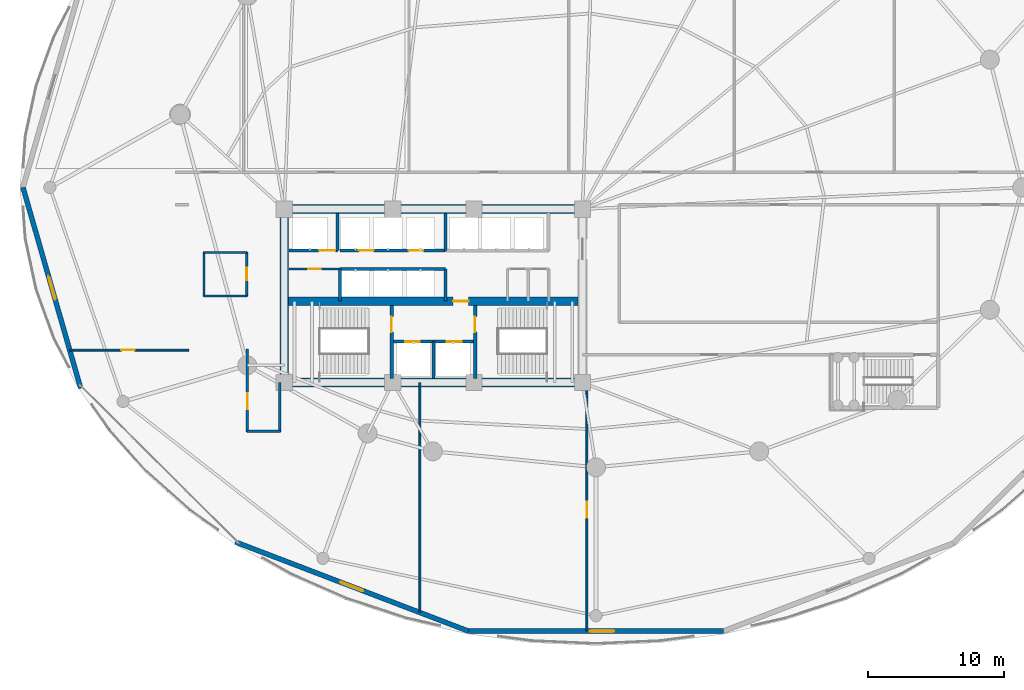
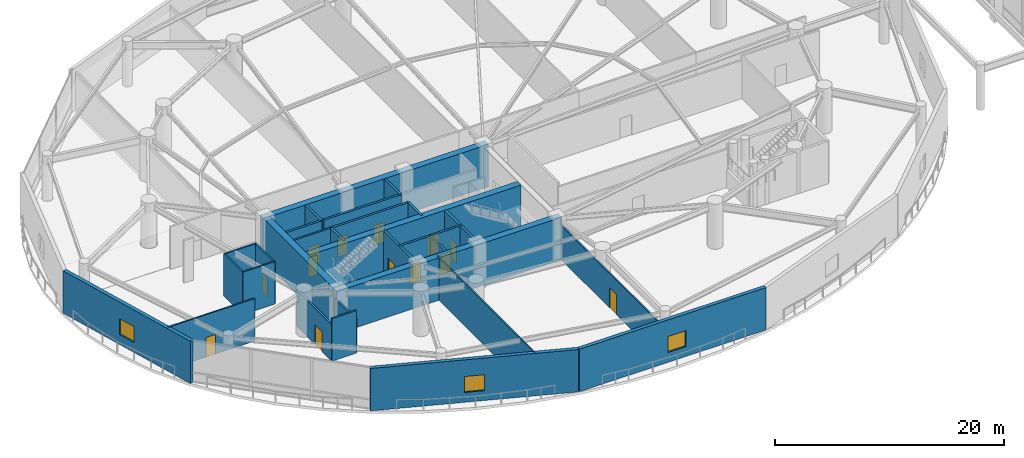
# One storey, part 27 of 40: 29 walls, 13 doors, 3 windows, 16 openings.
"""IFC4 building model written with IfcOpenShell, lengths in metres."""

from ifc_helpers import new_model, si_unit, direction, frame, frame_2d, origin, place, context, subcontext, project, spatial, rectangle, extrude, material, layer, layer_set, type_object, element, fill, save


model = new_model("IFC4")

# Units and contexts
model_context = context("Model", 3, precision=1e-05, world=origin(), true_north=direction((0.0, 1.0)))
body_context = subcontext(model_context, "Body", "Model", "MODEL_VIEW")
ifc_project = project(units=[si_unit("LENGTHUNIT", "METRE"), si_unit("AREAUNIT", "SQUARE_METRE"), si_unit("VOLUMEUNIT", "CUBIC_METRE"), si_unit("PLANEANGLEUNIT", "RADIAN"), si_unit("MASSUNIT", "GRAM", prefix="KILO")], contexts=[model_context])

# Site, building, storey
site_placement = place(None, origin())
site = spatial("IfcSite", under=ifc_project, at=site_placement, CompositionType="ELEMENT")
building_placement = place(site_placement, origin())
building = spatial("IfcBuilding", under=site, at=building_placement, Name="Kazevale Care Tower and Concert Hall", CompositionType="ELEMENT")
storey_placement = place(building_placement, frame((0.0, 0.0, 4.800048828125)))
storey = spatial("IfcBuildingStorey", under=building, at=storey_placement, Name="L01", CompositionType="ELEMENT", Elevation=4.800048828125)

# Wall, opening, door
ifc_material_1 = material(Name="Acoustic Gypsum on Steel Stud", Category="steel")
ifc_layer_1 = layer(ifc_material_1, 0.139892578125)
ifc_layer_set_1 = layer_set([ifc_layer_1], Name="Acoustic Gypsum on Steel Stud")
wall_type_1 = type_object("IfcWallType", Name="Acoustic Care & Suite Partition 140", PredefinedType="PARTITIONING", material=ifc_layer_set_1)
wall_1_placement = place(storey_placement, frame((44.324951171875, 5.27197265625, 0.0), z_axis=(0.0, 0.0, 1.0), x_axis=(0.0, 1.0, 0.0)))
wall_1 = element("IfcWall", 1, at=wall_1_placement, inside=storey, type_object=wall_type_1, Name="wall:L01:auto_022", PredefinedType="PARTITIONING", context=body_context, shape_type="SweptSolid", body=[
    extrude(rectangle(XDim=18.318115234375, YDim=0.139892578125, at=frame_2d((9.1591796875, 0.0))), origin(), (0.0, 0.0, 1.0), 3.659912109375),
])
opening_1_placement = place(wall_1_placement, frame((8.34912109375, 0.0, 0.0)))
opening_1 = element("IfcOpeningElement", 2, at=opening_1_placement, cuts=wall_1, Name="Opening ID-1200", PredefinedType="OPENING", context=body_context, shape_type="SweptSolid", body=[
    extrude(rectangle(XDim=1.199951171875, YDim=2.14990234375, at=frame_2d((0.60009765625, 1.074951171875))), frame((0.0, 0.079833984375, 0.0), z_axis=(0.0, -1.0, 0.0), x_axis=(1.0, 0.0, 0.0)), (0.0, 0.0, 1.0), 0.159912109375),
])
ifc_material_2 = material(Name="Oak Timber Fire Leaf", Category="wood")
door_type_1 = type_object("IfcDoorType", Name="Clinical & Therapy Door 1200x2150", OperationType="NOTDEFINED", PredefinedType="DOOR", material=ifc_material_2)
door_1_placement = place(opening_1_placement, origin())
door_1 = element("IfcDoor", 3, at=door_1_placement, inside=storey, type_object=door_type_1, Name="door:L01:ad_022", OperationType="SINGLE_SWING_LEFT", OverallHeight=2.14990234375, OverallWidth=1.199951171875, PredefinedType="DOOR", context=body_context, shape_type="SweptSolid", body=[
    extrude(rectangle(XDim=1.199951171875, YDim=2.14990234375, at=frame_2d((0.60009765625, 1.074951171875))), frame((0.0, 0.02490234375, 0.0), z_axis=(0.0, -1.0, 0.0), x_axis=(1.0, 0.0, 0.0)), (0.0, 0.0, 1.0), 0.050048828125),
])
fill(opening_1, door_1)

wall_2_placement = place(storey_placement, frame((6.1787109375, 26.0, 0.0), z_axis=(0.0, 0.0, 1.0), x_axis=(1.0, 0.0, 0.0)))
wall_2 = element("IfcWall", 4, at=wall_2_placement, inside=storey, type_object=wall_type_1, Name="wall:L01:auto_024", PredefinedType="PARTITIONING", context=body_context, shape_type="SweptSolid", body=[
    extrude(rectangle(XDim=8.76123046875, YDim=0.139892578125, at=frame_2d((4.380615234375, 0.0))), origin(), (0.0, 0.0, 1.0), 4.52001953125),
])
opening_2_placement = place(wall_2_placement, frame((3.800048828125, 0.0, 0.0)))
opening_2 = element("IfcOpeningElement", 5, at=opening_2_placement, cuts=wall_2, Name="Opening ID-1000", PredefinedType="OPENING", context=body_context, shape_type="SweptSolid", body=[
    extrude(rectangle(XDim=1.0, YDim=2.10009765625, at=frame_2d((0.5, 1.050048828125))), frame((0.0, 0.079833984375, 0.0), z_axis=(0.0, -1.0, 0.0), x_axis=(1.0, 0.0, 0.0)), (0.0, 0.0, 1.0), 0.159912109375),
])
door_type_2 = type_object("IfcDoorType", Name="Suite & Room Door 1000x2100", OperationType="NOTDEFINED", PredefinedType="DOOR", material=ifc_material_2)
door_2_placement = place(opening_2_placement, origin())
door_2 = element("IfcDoor", 6, at=door_2_placement, inside=storey, type_object=door_type_2, Name="door:L01:ad_024", OperationType="SINGLE_SWING_LEFT", OverallHeight=2.10009765625, OverallWidth=1.0, PredefinedType="DOOR", context=body_context, shape_type="SweptSolid", body=[
    extrude(rectangle(XDim=1.0, YDim=2.10009765625, at=frame_2d((0.5, 1.050048828125))), frame((0.0, 0.02490234375, 0.0), z_axis=(0.0, -1.0, 0.0), x_axis=(1.0, 0.0, 0.0)), (0.0, 0.0, 1.0), 0.050048828125),
])
fill(opening_2, door_2)

# Walls
wall_3_placement = place(storey_placement, frame((32.0, 23.590087890625, 0.0), z_axis=(0.0, 0.0, 1.0), x_axis=(0.0, -1.0, 0.0)))
element("IfcWall", 7, at=wall_3_placement, inside=storey, type_object=wall_type_1, Name="wall:L01:auto_025", PredefinedType="PARTITIONING", context=body_context, shape_type="SweptSolid", body=[
    extrude(rectangle(XDim=16.9443359375, YDim=0.139892578125, at=frame_2d((8.47216796875, 0.0))), origin(), (0.0, 0.0, 1.0), 4.52001953125),
])
ifc_material_3 = material(Name="Concrete C70", Category="concrete")
ifc_layer_2 = layer(ifc_material_3, 0.64990234375)
ifc_layer_set_2 = layer_set([ifc_layer_2], Name="Concrete C70")
wall_type_2 = type_object("IfcWallType", Name="Core Shear Wall 650 C70", PredefinedType="SHEAR", material=ifc_layer_set_2)
for number, where, z_axis, x_axis, name in (
    (8, (21.675048828125, 23.60009765625, 0.0), (0.0, 0.0, 1.0), (1.0, 0.0, 0.0), "wall:L01:core:S"),
    (9, (21.675048828125, 36.39990234375, 0.0), (0.0, 0.0, 1.0), (1.0, 0.0, 0.0), "wall:L01:core:N"),
):
    element("IfcWall", number, at=place(storey_placement, frame(where, z_axis=z_axis, x_axis=x_axis)), inside=storey, type_object=wall_type_2, Name=name, PredefinedType="SHEAR", context=body_context, shape_type="SweptSolid", body=[
        extrude(rectangle(XDim=22.64990234375, YDim=0.64990234375, at=frame_2d((11.324951171875, 0.0))), origin(), (0.0, 0.0, 1.0), 4.52001953125),
    ])
wall_4_placement = place(storey_placement, frame((22.0, 23.925048828125, 0.0), z_axis=(0.0, 0.0, 1.0), x_axis=(0.0, 1.0, 0.0)))
element("IfcWall", 10, at=wall_4_placement, inside=storey, type_object=wall_type_2, Name="wall:L01:core:W", PredefinedType="SHEAR", context=body_context, shape_type="SweptSolid", body=[
    extrude(rectangle(XDim=12.14990234375, YDim=0.64990234375, at=frame_2d((6.074951171875, 0.0))), origin(), (0.0, 0.0, 1.0), 4.52001953125),
])

# Wall, opening, door
wall_5_placement = place(storey_placement, frame((22.324951171875, 29.60009765625, 0.0), z_axis=(0.0, 0.0, 1.0), x_axis=(1.0, 0.0, 0.0)))
wall_5 = element("IfcWall", 11, at=wall_5_placement, inside=storey, type_object=wall_type_2, Name="wall:L01:core:M", PredefinedType="SHEAR", context=body_context, shape_type="SweptSolid", body=[
    extrude(rectangle(XDim=21.35009765625, YDim=0.64990234375, at=frame_2d((10.675048828125, 0.0))), origin(), (0.0, 0.0, 1.0), 4.52001953125),
])
opening_3_placement = place(wall_5_placement, frame((12.125, 0.0, 0.0)))
opening_3 = element("IfcOpeningElement", 12, at=opening_3_placement, cuts=wall_5, Name="Opening FD-90", PredefinedType="OPENING", context=body_context, shape_type="SweptSolid", body=[
    extrude(rectangle(XDim=1.14990234375, YDim=2.10009765625, at=frame_2d((0.574951171875, 1.050048828125))), frame((0.0, 0.3349609375, 0.0), z_axis=(0.0, -1.0, 0.0), x_axis=(1.0, 0.0, 0.0)), (0.0, 0.0, 1.0), 0.669921875),
])
ifc_material_4 = material(Name="Steel ASTM A572 Gr 50", Category="steel")
door_type_3 = type_object("IfcDoorType", Name="Pressurized Stair & Lobby Fire Door 1150x2100", OperationType="NOTDEFINED", PredefinedType="DOOR", material=ifc_material_4)
door_3_placement = place(opening_3_placement, origin())
door_3 = element("IfcDoor", 13, at=door_3_placement, inside=storey, type_object=door_type_3, Name="door:L01:ff_to_pax", OperationType="SINGLE_SWING_LEFT", OverallHeight=2.10009765625, OverallWidth=1.14990234375, PredefinedType="DOOR", context=body_context, shape_type="SweptSolid", body=[
    extrude(rectangle(XDim=1.14990234375, YDim=2.10009765625, at=frame_2d((0.574951171875, 1.050048828125))), frame((0.0, 0.02490234375, 0.0), z_axis=(0.0, -1.0, 0.0), x_axis=(1.0, 0.0, 0.0)), (0.0, 0.0, 1.0), 0.050048828125),
])
fill(opening_3, door_3)

# Wall, openings, doors
ifc_material_5 = material(Name="Concrete C40", Category="concrete")
ifc_layer_3 = layer(ifc_material_5, 0.219970703125)
ifc_layer_set_3 = layer_set([ifc_layer_3], Name="Concrete C40")
wall_type_3 = type_object("IfcWallType", Name="Elevator Hoistway Shaft Wall 220", PredefinedType="SOLIDWALL", material=ifc_layer_set_3)
wall_6_placement = place(storey_placement, frame((29.919921875, 26.6201171875, 0.0), z_axis=(0.0, 0.0, 1.0), x_axis=(1.0, 0.0, 0.0)))
wall_6 = element("IfcWall", 14, at=wall_6_placement, inside=storey, type_object=wall_type_3, Name="wall:L01:c_ffl_n", PredefinedType="SOLIDWALL", context=body_context, shape_type="SweptSolid", body=[
    extrude(rectangle(XDim=6.16015625, YDim=0.219970703125, at=frame_2d((3.080078125, 0.0))), origin(), (0.0, 0.0, 1.0), 4.52001953125),
])
opening_4_placement = place(wall_6_placement, frame((0.989990234375, 0.0, 0.0)))
opening_4 = element("IfcOpeningElement", 15, at=opening_4_placement, cuts=wall_6, Name="Opening LD-FF", PredefinedType="OPENING", context=body_context, shape_type="SweptSolid", body=[
    extrude(rectangle(XDim=1.10009765625, YDim=2.10009765625, at=frame_2d((0.550048828125, 1.050048828125))), frame((0.0, 0.119873046875, 0.0), z_axis=(0.0, -1.0, 0.0), x_axis=(1.0, 0.0, 0.0)), (0.0, 0.0, 1.0), 0.239990234375),
])
opening_5_placement = place(wall_6_placement, frame((4.070068359375, 0.0, 0.0)))
opening_5 = element("IfcOpeningElement", 16, at=opening_5_placement, cuts=wall_6, Name="Opening LD-FF", PredefinedType="OPENING", context=body_context, shape_type="SweptSolid", body=[
    extrude(rectangle(XDim=1.10009765625, YDim=2.10009765625, at=frame_2d((0.550048828125, 1.050048828125))), frame((0.0, 0.119873046875, 0.0), z_axis=(0.0, -1.0, 0.0), x_axis=(1.0, 0.0, 0.0)), (0.0, 0.0, 1.0), 0.239990234375),
])
ifc_material_6 = material(Name="Stainless Steel 316", Category="steel")
door_type_4 = type_object("IfcDoorType", Name="Emergency Lift Sliding Landing Door 1100x2100", OperationType="NOTDEFINED", PredefinedType="DOOR", material=ifc_material_6)
door_4_placement = place(opening_4_placement, origin())
door_4 = element("IfcDoor", 17, at=door_4_placement, inside=storey, type_object=door_type_4, Name="door:L01:ld_ffl1", OperationType="SLIDING_TO_LEFT", OverallHeight=2.10009765625, OverallWidth=1.10009765625, PredefinedType="DOOR", context=body_context, shape_type="SweptSolid", body=[
    extrude(rectangle(XDim=1.10009765625, YDim=2.10009765625, at=frame_2d((0.550048828125, 1.050048828125))), frame((0.0, 0.02490234375, 0.0), z_axis=(0.0, -1.0, 0.0), x_axis=(1.0, 0.0, 0.0)), (0.0, 0.0, 1.0), 0.050048828125),
])
fill(opening_4, door_4)
door_5_placement = place(opening_5_placement, origin())
door_5 = element("IfcDoor", 18, at=door_5_placement, inside=storey, type_object=door_type_4, Name="door:L01:ld_ffl2", OperationType="SLIDING_TO_RIGHT", OverallHeight=2.10009765625, OverallWidth=1.10009765625, PredefinedType="DOOR", context=body_context, shape_type="SweptSolid", body=[
    extrude(rectangle(XDim=1.10009765625, YDim=2.10009765625, at=frame_2d((0.550048828125, 1.050048828125))), frame((0.0, 0.02490234375, 0.0), z_axis=(0.0, -1.0, 0.0), x_axis=(1.0, 0.0, 0.0)), (0.0, 0.0, 1.0), 0.050048828125),
])
fill(opening_5, door_5)

# Walls
wall_7_placement = place(storey_placement, frame((33.0, 23.89990234375, 0.0), z_axis=(0.0, 0.0, 1.0), x_axis=(0.0, 1.0, 0.0)))
element("IfcWall", 19, at=wall_7_placement, inside=storey, type_object=wall_type_3, Name="wall:L01:c_ffl_m", PredefinedType="SOLIDWALL", context=body_context, shape_type="SweptSolid", body=[
    extrude(rectangle(XDim=2.72021484375, YDim=0.219970703125, at=frame_2d((1.360107421875, 0.0))), origin(), (0.0, 0.0, 1.0), 4.52001953125),
])
wall_8_placement = place(storey_placement, frame((25.919921875, 33.35009765625, 0.0), z_axis=(0.0, 0.0, 1.0), x_axis=(0.0, 1.0, 0.0)))
element("IfcWall", 20, at=wall_8_placement, inside=storey, type_object=wall_type_3, Name="wall:L01:c_svl_e", PredefinedType="SOLIDWALL", context=body_context, shape_type="SweptSolid", body=[
    extrude(rectangle(XDim=2.72998046875, YDim=0.219970703125, at=frame_2d((1.364990234375, 0.0))), origin(), (0.0, 0.0, 1.0), 4.52001953125),
])

# Wall, opening, door
wall_9_placement = place(storey_placement, frame((22.35009765625, 33.35009765625, 0.0), z_axis=(0.0, 0.0, 1.0), x_axis=(1.0, 0.0, 0.0)))
wall_9 = element("IfcWall", 21, at=wall_9_placement, inside=storey, type_object=wall_type_3, Name="wall:L01:c_svl_s", PredefinedType="SOLIDWALL", context=body_context, shape_type="SweptSolid", body=[
    extrude(rectangle(XDim=3.56982421875, YDim=0.219970703125, at=frame_2d((1.784912109375, 0.0))), origin(), (0.0, 0.0, 1.0), 4.52001953125),
])
opening_6_placement = place(wall_9_placement, frame((2.212890625, 0.0, 0.0)))
opening_6 = element("IfcOpeningElement", 22, at=opening_6_placement, cuts=wall_9, Name="Opening LD-SV", PredefinedType="OPENING", context=body_context, shape_type="SweptSolid", body=[
    extrude(rectangle(XDim=1.199951171875, YDim=2.10009765625, at=frame_2d((0.60009765625, 1.050048828125))), frame((0.0, 0.119873046875, 0.0), z_axis=(0.0, -1.0, 0.0), x_axis=(1.0, 0.0, 0.0)), (0.0, 0.0, 1.0), 0.239990234375),
])
door_type_5 = type_object("IfcDoorType", Name="Service Lift Sliding Landing Door 1200x2100", OperationType="NOTDEFINED", PredefinedType="DOOR", material=ifc_material_6)
door_6_placement = place(opening_6_placement, origin())
door_6 = element("IfcDoor", 23, at=door_6_placement, inside=storey, type_object=door_type_5, Name="door:L01:ld_svl1", OperationType="SLIDING_TO_LEFT", OverallHeight=2.10009765625, OverallWidth=1.199951171875, PredefinedType="DOOR", context=body_context, shape_type="SweptSolid", body=[
    extrude(rectangle(XDim=1.199951171875, YDim=2.10009765625, at=frame_2d((0.60009765625, 1.050048828125))), frame((0.0, 0.02490234375, 0.0), z_axis=(0.0, -1.0, 0.0), x_axis=(1.0, 0.0, 0.0)), (0.0, 0.0, 1.0), 0.050048828125),
])
fill(opening_6, door_6)

# Walls
wall_10_placement = place(storey_placement, frame((26.10009765625, 29.6201171875, 0.0), z_axis=(0.0, 0.0, 1.0), x_axis=(0.0, 1.0, 0.0)))
element("IfcWall", 24, at=wall_10_placement, inside=storey, type_object=wall_type_3, Name="wall:L01:c_ph_w", PredefinedType="SOLIDWALL", context=body_context, shape_type="SweptSolid", body=[
    extrude(rectangle(XDim=2.35986328125, YDim=0.219970703125, at=frame_2d((1.179931640625, 0.0))), origin(), (0.0, 0.0, 1.0), 4.52001953125),
])
wall_11_placement = place(storey_placement, frame((26.10009765625, 31.97998046875, 0.0), z_axis=(0.0, 0.0, 1.0), x_axis=(1.0, 0.0, 0.0)))
element("IfcWall", 25, at=wall_11_placement, inside=storey, type_object=wall_type_3, Name="wall:L01:c_ph_n", PredefinedType="SOLIDWALL", context=body_context, shape_type="SweptSolid", body=[
    extrude(rectangle(XDim=7.7998046875, YDim=0.219970703125, at=frame_2d((3.89990234375, 0.0))), origin(), (0.0, 0.0, 1.0), 4.52001953125),
])
wall_12_placement = place(storey_placement, frame((33.89990234375, 29.6201171875, 0.0), z_axis=(0.0, 0.0, 1.0), x_axis=(0.0, 1.0, 0.0)))
element("IfcWall", 26, at=wall_12_placement, inside=storey, type_object=wall_type_3, Name="wall:L01:c_ph_e", PredefinedType="SOLIDWALL", context=body_context, shape_type="SweptSolid", body=[
    extrude(rectangle(XDim=2.35986328125, YDim=0.219970703125, at=frame_2d((1.179931640625, 0.0))), origin(), (0.0, 0.0, 1.0), 4.52001953125),
])

# Wall, openings, doors
wall_13_placement = place(storey_placement, frame((26.10009765625, 33.35009765625, 0.0), z_axis=(0.0, 0.0, 1.0), x_axis=(1.0, 0.0, 0.0)))
wall_13 = element("IfcWall", 27, at=wall_13_placement, inside=storey, type_object=wall_type_3, Name="wall:L01:c_pl_s", PredefinedType="SOLIDWALL", context=body_context, shape_type="SweptSolid", body=[
    extrude(rectangle(XDim=7.7998046875, YDim=0.219970703125, at=frame_2d((3.89990234375, 0.0))), origin(), (0.0, 0.0, 1.0), 4.52001953125),
])
opening_7_placement = place(wall_13_placement, frame((1.39990234375, 0.0, 0.0)))
opening_7 = element("IfcOpeningElement", 28, at=opening_7_placement, cuts=wall_13, Name="Opening LD-PAX", PredefinedType="OPENING", context=body_context, shape_type="SweptSolid", body=[
    extrude(rectangle(XDim=1.10009765625, YDim=2.10009765625, at=frame_2d((0.550048828125, 1.050048828125))), frame((0.0, 0.119873046875, 0.0), z_axis=(0.0, -1.0, 0.0), x_axis=(1.0, 0.0, 0.0)), (0.0, 0.0, 1.0), 0.239990234375),
])
opening_8_placement = place(wall_13_placement, frame((5.06591796875, 0.0, 0.0)))
opening_8 = element("IfcOpeningElement", 29, at=opening_8_placement, cuts=wall_13, Name="Opening LD-PAX", PredefinedType="OPENING", context=body_context, shape_type="SweptSolid", body=[
    extrude(rectangle(XDim=1.10009765625, YDim=2.10009765625, at=frame_2d((0.550048828125, 1.050048828125))), frame((0.0, 0.119873046875, 0.0), z_axis=(0.0, -1.0, 0.0), x_axis=(1.0, 0.0, 0.0)), (0.0, 0.0, 1.0), 0.239990234375),
])
door_type_6 = type_object("IfcDoorType", Name="Passenger Lift Sliding Landing Door 1100x2100", OperationType="NOTDEFINED", PredefinedType="DOOR", material=ifc_material_6)
door_7_placement = place(opening_7_placement, origin())
door_7 = element("IfcDoor", 30, at=door_7_placement, inside=storey, type_object=door_type_6, Name="door:L01:ld_pl1", OperationType="SLIDING_TO_LEFT", OverallHeight=2.10009765625, OverallWidth=1.10009765625, PredefinedType="DOOR", context=body_context, shape_type="SweptSolid", body=[
    extrude(rectangle(XDim=1.10009765625, YDim=2.10009765625, at=frame_2d((0.550048828125, 1.050048828125))), frame((0.0, 0.02490234375, 0.0), z_axis=(0.0, -1.0, 0.0), x_axis=(1.0, 0.0, 0.0)), (0.0, 0.0, 1.0), 0.050048828125),
])
fill(opening_7, door_7)
door_8_placement = place(opening_8_placement, origin())
door_8 = element("IfcDoor", 31, at=door_8_placement, inside=storey, type_object=door_type_6, Name="door:L01:ld_pl2", OperationType="SLIDING_TO_RIGHT", OverallHeight=2.10009765625, OverallWidth=1.10009765625, PredefinedType="DOOR", context=body_context, shape_type="SweptSolid", body=[
    extrude(rectangle(XDim=1.10009765625, YDim=2.10009765625, at=frame_2d((0.550048828125, 1.050048828125))), frame((0.0, 0.02490234375, 0.0), z_axis=(0.0, -1.0, 0.0), x_axis=(1.0, 0.0, 0.0)), (0.0, 0.0, 1.0), 0.050048828125),
])
fill(opening_8, door_8)

# Wall
wall_14_placement = place(storey_placement, frame((33.89990234375, 33.35009765625, 0.0), z_axis=(0.0, 0.0, 1.0), x_axis=(0.0, 1.0, 0.0)))
element("IfcWall", 32, at=wall_14_placement, inside=storey, type_object=wall_type_3, Name="wall:L01:c_pl_e", PredefinedType="SOLIDWALL", context=body_context, shape_type="SweptSolid", body=[
    extrude(rectangle(XDim=2.72998046875, YDim=0.219970703125, at=frame_2d((1.364990234375, 0.0))), origin(), (0.0, 0.0, 1.0), 4.52001953125),
])

# Wall, opening, door
ifc_material_7 = material(Name="Concrete C40 and Acoustic Gypsum", Category="concrete")
ifc_layer_4 = layer(ifc_material_7, 0.179931640625)
ifc_layer_set_4 = layer_set([ifc_layer_4], Name="Concrete C40 and Acoustic Gypsum")
wall_type_4 = type_object("IfcWallType", Name="Fire-Rated Corridor & Party Wall 180", PredefinedType="PARTITIONING", material=ifc_layer_set_4)
wall_15_placement = place(storey_placement, frame((22.35009765625, 31.97998046875, 0.0), z_axis=(0.0, 0.0, 1.0), x_axis=(1.0, 0.0, 0.0)))
wall_15 = element("IfcWall", 33, at=wall_15_placement, inside=storey, type_object=wall_type_4, Name="wall:L01:ka_wn1", PredefinedType="PARTITIONING", context=body_context, shape_type="SweptSolid", body=[
    extrude(rectangle(XDim=3.75, YDim=0.179931640625, at=frame_2d((1.875, 0.0))), origin(), (0.0, 0.0, 1.0), 4.52001953125),
])
opening_9_placement = place(wall_15_placement, frame((1.425048828125, 0.0, 0.0)))
opening_9 = element("IfcOpeningElement", 34, at=opening_9_placement, cuts=wall_15, Name="Opening ID-900", PredefinedType="OPENING", context=body_context, shape_type="SweptSolid", body=[
    extrude(rectangle(XDim=0.919921875, YDim=2.10009765625, at=frame_2d((0.4599609375, 1.050048828125))), frame((0.0, 0.099853515625, 0.0), z_axis=(0.0, -1.0, 0.0), x_axis=(1.0, 0.0, 0.0)), (0.0, 0.0, 1.0), 0.199951171875),
])
door_type_7 = type_object("IfcDoorType", Name="Bathroom & Service Door 920x2100", OperationType="NOTDEFINED", PredefinedType="DOOR", material=ifc_material_2)
door_9_placement = place(opening_9_placement, origin())
door_9 = element("IfcDoor", 35, at=door_9_placement, inside=storey, type_object=door_type_7, Name="door:L01:d_kaw", OperationType="SINGLE_SWING_LEFT", OverallHeight=2.10009765625, OverallWidth=0.919921875, PredefinedType="DOOR", context=body_context, shape_type="SweptSolid", body=[
    extrude(rectangle(XDim=0.919921875, YDim=2.10009765625, at=frame_2d((0.4599609375, 1.050048828125))), frame((0.0, 0.02490234375, 0.0), z_axis=(0.0, -1.0, 0.0), x_axis=(1.0, 0.0, 0.0)), (0.0, 0.0, 1.0), 0.050048828125),
])
fill(opening_9, door_9)

wall_16_placement = place(storey_placement, frame((19.27490234375, 19.969970703125, 0.0), z_axis=(0.0, 0.0, 1.0), x_axis=(0.0, 1.0, 0.0)))
wall_16 = element("IfcWall", 36, at=wall_16_placement, inside=storey, type_object=wall_type_4, Name="wall:L01:auto_013", PredefinedType="PARTITIONING", context=body_context, shape_type="SweptSolid", body=[
    extrude(rectangle(XDim=6.094970703125, YDim=0.179931640625, at=frame_2d((3.04736328125, 0.0))), origin(), (0.0, 0.0, 1.0), 3.89794921875),
])
opening_10_placement = place(wall_16_placement, frame((1.64697265625, 0.0, 0.0)))
opening_10 = element("IfcOpeningElement", 37, at=opening_10_placement, cuts=wall_16, Name="Opening ID-1200", PredefinedType="OPENING", context=body_context, shape_type="SweptSolid", body=[
    extrude(rectangle(XDim=1.199951171875, YDim=2.14990234375, at=frame_2d((0.60009765625, 1.074951171875))), frame((0.0, 0.099853515625, 0.0), z_axis=(0.0, -1.0, 0.0), x_axis=(1.0, 0.0, 0.0)), (0.0, 0.0, 1.0), 0.199951171875),
])
door_10_placement = place(opening_10_placement, origin())
door_10 = element("IfcDoor", 38, at=door_10_placement, inside=storey, type_object=door_type_1, Name="door:L01:ad_013", OperationType="SINGLE_SWING_LEFT", OverallHeight=2.14990234375, OverallWidth=1.199951171875, PredefinedType="DOOR", context=body_context, shape_type="SweptSolid", body=[
    extrude(rectangle(XDim=1.199951171875, YDim=2.14990234375, at=frame_2d((0.60009765625, 1.074951171875))), frame((0.0, 0.02490234375, 0.0), z_axis=(0.0, -1.0, 0.0), x_axis=(1.0, 0.0, 0.0)), (0.0, 0.0, 1.0), 0.050048828125),
])
fill(opening_10, door_10)

# Walls
wall_17_placement = place(storey_placement, frame((21.675048828125, 23.590087890625, 0.0), z_axis=(0.0, 0.0, 1.0), x_axis=(0.0, -1.0, 0.0)))
element("IfcWall", 39, at=wall_17_placement, inside=storey, type_object=wall_type_4, Name="wall:L01:auto_014", PredefinedType="PARTITIONING", context=body_context, shape_type="SweptSolid", body=[
    extrude(rectangle(XDim=3.6201171875, YDim=0.179931640625, at=frame_2d((1.81005859375, 0.0))), origin(), (0.0, 0.0, 1.0), 3.659912109375),
])
wall_18_placement = place(storey_placement, frame((21.705078125, 20.0, 0.0), z_axis=(0.0, 0.0, 1.0), x_axis=(-1.0, 0.0, 0.0)))
element("IfcWall", 40, at=wall_18_placement, inside=storey, type_object=wall_type_4, Name="wall:L01:auto_015", PredefinedType="PARTITIONING", context=body_context, shape_type="SweptSolid", body=[
    extrude(rectangle(XDim=2.4599609375, YDim=0.179931640625, at=frame_2d((1.22998046875, 0.0))), origin(), (0.0, 0.0, 1.0), 4.52001953125),
])
ifc_layer_5 = layer(ifc_material_1, 0.159912109375)
ifc_layer_set_5 = layer_set([ifc_layer_5], Name="Acoustic Gypsum on Steel Stud")
wall_type_5 = type_object("IfcWallType", Name="Moisture-Resistant Bathroom Plumbing Wall 160", PredefinedType="PLUMBINGWALL", material=ifc_layer_set_5)
for number, where, z_axis, x_axis, name in (
    (41, (16.034912109375, 30.0, 0.0), (0.0, 0.0, 1.0), (1.0, 0.0, 0.0), "wall:L01:pod_sw_wc_ws"),
    (42, (16.034912109375, 33.199951171875, 0.0), (0.0, 0.0, 1.0), (1.0, 0.0, 0.0), "wall:L01:pod_sw_wc_wn"),
):
    element("IfcWall", number, at=place(storey_placement, frame(where, z_axis=z_axis, x_axis=x_axis)), inside=storey, type_object=wall_type_5, Name=name, PredefinedType="PLUMBINGWALL", context=body_context, shape_type="SweptSolid", body=[
        extrude(rectangle(XDim=3.22998046875, YDim=0.159912109375, at=frame_2d((1.614990234375, 0.0))), origin(), (0.0, 0.0, 1.0), 4.52001953125),
    ])
wall_19_placement = place(storey_placement, frame((16.074951171875, 29.9599609375, 0.0), z_axis=(0.0, 0.0, 1.0), x_axis=(0.0, 1.0, 0.0)))
element("IfcWall", 43, at=wall_19_placement, inside=storey, type_object=wall_type_5, Name="wall:L01:pod_sw_wc_ww", PredefinedType="PLUMBINGWALL", context=body_context, shape_type="SweptSolid", body=[
    extrude(rectangle(XDim=3.280029296875, YDim=0.159912109375, at=frame_2d((1.64013671875, 0.0))), origin(), (0.0, 0.0, 1.0), 4.52001953125),
])

# Wall, opening, door
wall_20_placement = place(storey_placement, frame((19.22509765625, 29.9599609375, 0.0), z_axis=(0.0, 0.0, 1.0), x_axis=(0.0, 1.0, 0.0)))
wall_20 = element("IfcWall", 44, at=wall_20_placement, inside=storey, type_object=wall_type_5, Name="wall:L01:pod_sw_wc_we", PredefinedType="PLUMBINGWALL", context=body_context, shape_type="SweptSolid", body=[
    extrude(rectangle(XDim=3.280029296875, YDim=0.159912109375, at=frame_2d((1.64013671875, 0.0))), origin(), (0.0, 0.0, 1.0), 4.52001953125),
])
opening_11_placement = place(wall_20_placement, frame((1.18994140625, 0.0, 0.0)))
opening_11 = element("IfcOpeningElement", 45, at=opening_11_placement, cuts=wall_20, Name="Opening ID-900", PredefinedType="OPENING", context=body_context, shape_type="SweptSolid", body=[
    extrude(rectangle(XDim=0.919921875, YDim=2.10009765625, at=frame_2d((0.4599609375, 1.050048828125))), frame((0.0, 0.08984375, 0.0), z_axis=(0.0, -1.0, 0.0), x_axis=(1.0, 0.0, 0.0)), (0.0, 0.0, 1.0), 0.179931640625),
])
door_11_placement = place(opening_11_placement, origin())
door_11 = element("IfcDoor", 46, at=door_11_placement, inside=storey, type_object=door_type_7, Name="door:L01:pod_sw_wc_d", OperationType="SINGLE_SWING_LEFT", OverallHeight=2.10009765625, OverallWidth=0.919921875, PredefinedType="DOOR", context=body_context, shape_type="SweptSolid", body=[
    extrude(rectangle(XDim=0.919921875, YDim=2.10009765625, at=frame_2d((0.4599609375, 1.050048828125))), frame((0.0, 0.02490234375, 0.0), z_axis=(0.0, -1.0, 0.0), x_axis=(1.0, 0.0, 0.0)), (0.0, 0.0, 1.0), 0.050048828125),
])
fill(opening_11, door_11)

# Wall, opening, window
ifc_material_8 = material(Name="Concrete C40 with Honed Limestone Cladding", Category="masonry")
ifc_layer_6 = layer(ifc_material_8, 0.360107421875)
ifc_layer_set_6 = layer_set([ifc_layer_6], Name="Concrete C40 with Honed Limestone Cladding")
wall_type_6 = type_object("IfcWallType", Name="Podium Insulated Limestone Wall 360", PredefinedType="STANDARD", material=ifc_layer_set_6)
wall_21_placement = place(storey_placement, frame((2.719970703125, 38.0, 0.0), z_axis=(0.0, 0.0, 1.0), x_axis=(0.276203409751, -0.961099202186, 0.0)))
wall_21 = element("IfcWall", 47, at=wall_21_placement, inside=storey, type_object=wall_type_6, Name="wall:L01:podew:08", PredefinedType="STANDARD", context=body_context, shape_type="SweptSolid", body=[
    extrude(rectangle(XDim=15.419921875, YDim=0.360107421875, at=frame_2d((7.7099609375, 0.0))), origin(), (0.0, 0.0, 1.0), 4.52001953125),
])
opening_12_placement = place(wall_21_placement, frame((6.81005859375, 0.0, 1.050048828125)))
opening_12 = element("IfcOpeningElement", 48, at=opening_12_placement, cuts=wall_21, Name="Opening WIN-2", PredefinedType="OPENING", context=body_context, shape_type="SweptSolid", body=[
    extrude(rectangle(XDim=1.800048828125, YDim=1.699951171875, at=frame_2d((0.89990234375, 0.85009765625))), frame((0.0, 0.18994140625, 0.0), z_axis=(0.0, -1.0, 0.0), x_axis=(1.0, 0.0, 0.0)), (0.0, 0.0, 1.0), 0.380126953125),
])
ifc_material_9 = material(Name="Low-E Laminated Glass", Category="glass")
window_type = type_object("IfcWindowType", Name="Clinical Punched Window 1800x1700", PartitioningType="DOUBLE_PANEL_VERTICAL", PredefinedType="WINDOW", material=ifc_material_9)
window_1_placement = place(opening_12_placement, origin())
window_1 = element("IfcWindow", 49, at=window_1_placement, inside=storey, type_object=window_type, Name="win:L01:pod:08", OverallHeight=1.699951171875, OverallWidth=1.800048828125, PartitioningType="SINGLE_PANEL", PredefinedType="WINDOW", context=body_context, shape_type="SweptSolid", body=[
    extrude(rectangle(XDim=1.800048828125, YDim=1.699951171875, at=frame_2d((0.89990234375, 0.85009765625))), frame((0.0, 0.030029296875, 0.0), z_axis=(0.0, -1.0, 0.0), x_axis=(1.0, 0.0, 0.0)), (0.0, 0.0, 1.0), 0.06005859375),
])
fill(opening_12, window_1)

wall_22_placement = place(storey_placement, frame((18.39599609375, 11.839111328125, 0.0), z_axis=(0.0, 0.0, 1.0), x_axis=(0.934012147289, -0.357241247221, 0.0)))
wall_22 = element("IfcWall", 50, at=wall_22_placement, inside=storey, type_object=wall_type_6, Name="wall:L01:podew:10", PredefinedType="STANDARD", context=body_context, shape_type="SweptSolid", body=[
    extrude(rectangle(XDim=18.410888671875, YDim=0.360107421875, at=frame_2d((9.20556640625, 0.0))), origin(), (0.0, 0.0, 1.0), 4.52001953125),
])
opening_13_placement = place(wall_22_placement, frame((8.304931640625, 0.0, 1.050048828125)))
opening_13 = element("IfcOpeningElement", 51, at=opening_13_placement, cuts=wall_22, Name="Opening WIN-2", PredefinedType="OPENING", context=body_context, shape_type="SweptSolid", body=[
    extrude(rectangle(XDim=1.800048828125, YDim=1.699951171875, at=frame_2d((0.89990234375, 0.85009765625))), frame((0.0, 0.18994140625, 0.0), z_axis=(0.0, -1.0, 0.0), x_axis=(1.0, 0.0, 0.0)), (0.0, 0.0, 1.0), 0.380126953125),
])
window_2_placement = place(opening_13_placement, origin())
window_2 = element("IfcWindow", 52, at=window_2_placement, inside=storey, type_object=window_type, Name="win:L01:pod:10", OverallHeight=1.699951171875, OverallWidth=1.800048828125, PartitioningType="SINGLE_PANEL", PredefinedType="WINDOW", context=body_context, shape_type="SweptSolid", body=[
    extrude(rectangle(XDim=1.800048828125, YDim=1.699951171875, at=frame_2d((0.89990234375, 0.85009765625))), frame((0.0, 0.030029296875, 0.0), z_axis=(0.0, -1.0, 0.0), x_axis=(1.0, 0.0, 0.0)), (0.0, 0.0, 1.0), 0.06005859375),
])
fill(opening_13, window_2)

wall_23_placement = place(storey_placement, frame((35.592041015625, 5.261962890625, 0.0), z_axis=(0.0, 0.0, 1.0), x_axis=(1.0, 0.0, 0.0)))
wall_23 = element("IfcWall", 53, at=wall_23_placement, inside=storey, type_object=wall_type_6, Name="wall:L01:podew:11", PredefinedType="STANDARD", context=body_context, shape_type="SweptSolid", body=[
    extrude(rectangle(XDim=18.81591796875, YDim=0.360107421875, at=frame_2d((9.407958984375, 0.0))), origin(), (0.0, 0.0, 1.0), 4.52001953125),
])
opening_14_placement = place(wall_23_placement, frame((8.947998046875, 0.0, 1.050048828125)))
opening_14 = element("IfcOpeningElement", 54, at=opening_14_placement, cuts=wall_23, Name="Opening WIN-2", PredefinedType="OPENING", context=body_context, shape_type="SweptSolid", body=[
    extrude(rectangle(XDim=1.800048828125, YDim=1.699951171875, at=frame_2d((0.89990234375, 0.85009765625))), frame((0.0, 0.18994140625, 0.0), z_axis=(0.0, -1.0, 0.0), x_axis=(1.0, 0.0, 0.0)), (0.0, 0.0, 1.0), 0.380126953125),
])
window_3_placement = place(opening_14_placement, origin())
window_3 = element("IfcWindow", 55, at=window_3_placement, inside=storey, type_object=window_type, Name="win:L01:pod:11", OverallHeight=1.699951171875, OverallWidth=1.800048828125, PartitioningType="SINGLE_PANEL", PredefinedType="WINDOW", context=body_context, shape_type="SweptSolid", body=[
    extrude(rectangle(XDim=1.800048828125, YDim=1.699951171875, at=frame_2d((0.89990234375, 0.85009765625))), frame((0.0, 0.030029296875, 0.0), z_axis=(0.0, -1.0, 0.0), x_axis=(1.0, 0.0, 0.0)), (0.0, 0.0, 1.0), 0.06005859375),
])
fill(opening_14, window_3)

# Wall, opening, door
ifc_layer_7 = layer(ifc_material_5, 0.25)
ifc_layer_set_7 = layer_set([ifc_layer_7], Name="Concrete C40")
wall_type_7 = type_object("IfcWallType", Name="Pressurized Stair Shaft Wall 250", PredefinedType="SOLIDWALL", material=ifc_layer_set_7)
wall_24_placement = place(storey_placement, frame((29.919921875, 23.89990234375, 0.0), z_axis=(0.0, 0.0, 1.0), x_axis=(0.0, 1.0, 0.0)))
wall_24 = element("IfcWall", 56, at=wall_24_placement, inside=storey, type_object=wall_type_7, Name="wall:L01:c_st1_e", PredefinedType="SOLIDWALL", context=body_context, shape_type="SweptSolid", body=[
    extrude(rectangle(XDim=5.400146484375, YDim=0.25, at=frame_2d((2.7001953125, 0.0))), origin(), (0.0, 0.0, 1.0), 4.52001953125),
])
opening_15_placement = place(wall_24_placement, frame((3.4208984375, 0.0, 0.0)))
opening_15 = element("IfcOpeningElement", 57, at=opening_15_placement, cuts=wall_24, Name="Opening FD-90", PredefinedType="OPENING", context=body_context, shape_type="SweptSolid", body=[
    extrude(rectangle(XDim=1.14990234375, YDim=2.10009765625, at=frame_2d((0.574951171875, 1.050048828125))), frame((0.0, 0.135009765625, 0.0), z_axis=(0.0, -1.0, 0.0), x_axis=(1.0, 0.0, 0.0)), (0.0, 0.0, 1.0), 0.27001953125),
])
door_12_placement = place(opening_15_placement, origin())
door_12 = element("IfcDoor", 58, at=door_12_placement, inside=storey, type_object=door_type_3, Name="door:L01:st1", OperationType="SINGLE_SWING_RIGHT", OverallHeight=2.10009765625, OverallWidth=1.14990234375, PredefinedType="DOOR", context=body_context, shape_type="SweptSolid", body=[
    extrude(rectangle(XDim=1.14990234375, YDim=2.10009765625, at=frame_2d((0.574951171875, 1.050048828125))), frame((0.0, 0.02490234375, 0.0), z_axis=(0.0, -1.0, 0.0), x_axis=(1.0, 0.0, 0.0)), (0.0, 0.0, 1.0), 0.050048828125),
])
fill(opening_15, door_12)

wall_25_placement = place(storey_placement, frame((36.080078125, 23.89990234375, 0.0), z_axis=(0.0, 0.0, 1.0), x_axis=(0.0, 1.0, 0.0)))
wall_25 = element("IfcWall", 59, at=wall_25_placement, inside=storey, type_object=wall_type_7, Name="wall:L01:c_st2_w", PredefinedType="SOLIDWALL", context=body_context, shape_type="SweptSolid", body=[
    extrude(rectangle(XDim=5.400146484375, YDim=0.25, at=frame_2d((2.7001953125, 0.0))), origin(), (0.0, 0.0, 1.0), 4.52001953125),
])
opening_16_placement = place(wall_25_placement, frame((3.4208984375, 0.0, 0.0)))
opening_16 = element("IfcOpeningElement", 60, at=opening_16_placement, cuts=wall_25, Name="Opening FD-90", PredefinedType="OPENING", context=body_context, shape_type="SweptSolid", body=[
    extrude(rectangle(XDim=1.14990234375, YDim=2.10009765625, at=frame_2d((0.574951171875, 1.050048828125))), frame((0.0, 0.135009765625, 0.0), z_axis=(0.0, -1.0, 0.0), x_axis=(1.0, 0.0, 0.0)), (0.0, 0.0, 1.0), 0.27001953125),
])
door_13_placement = place(opening_16_placement, origin())
door_13 = element("IfcDoor", 61, at=door_13_placement, inside=storey, type_object=door_type_3, Name="door:L01:st2", OperationType="SINGLE_SWING_LEFT", OverallHeight=2.10009765625, OverallWidth=1.14990234375, PredefinedType="DOOR", context=body_context, shape_type="SweptSolid", body=[
    extrude(rectangle(XDim=1.14990234375, YDim=2.10009765625, at=frame_2d((0.574951171875, 1.050048828125))), frame((0.0, 0.02490234375, 0.0), z_axis=(0.0, -1.0, 0.0), x_axis=(1.0, 0.0, 0.0)), (0.0, 0.0, 1.0), 0.050048828125),
])
fill(opening_16, door_13)

save(model, "model.ifc")
